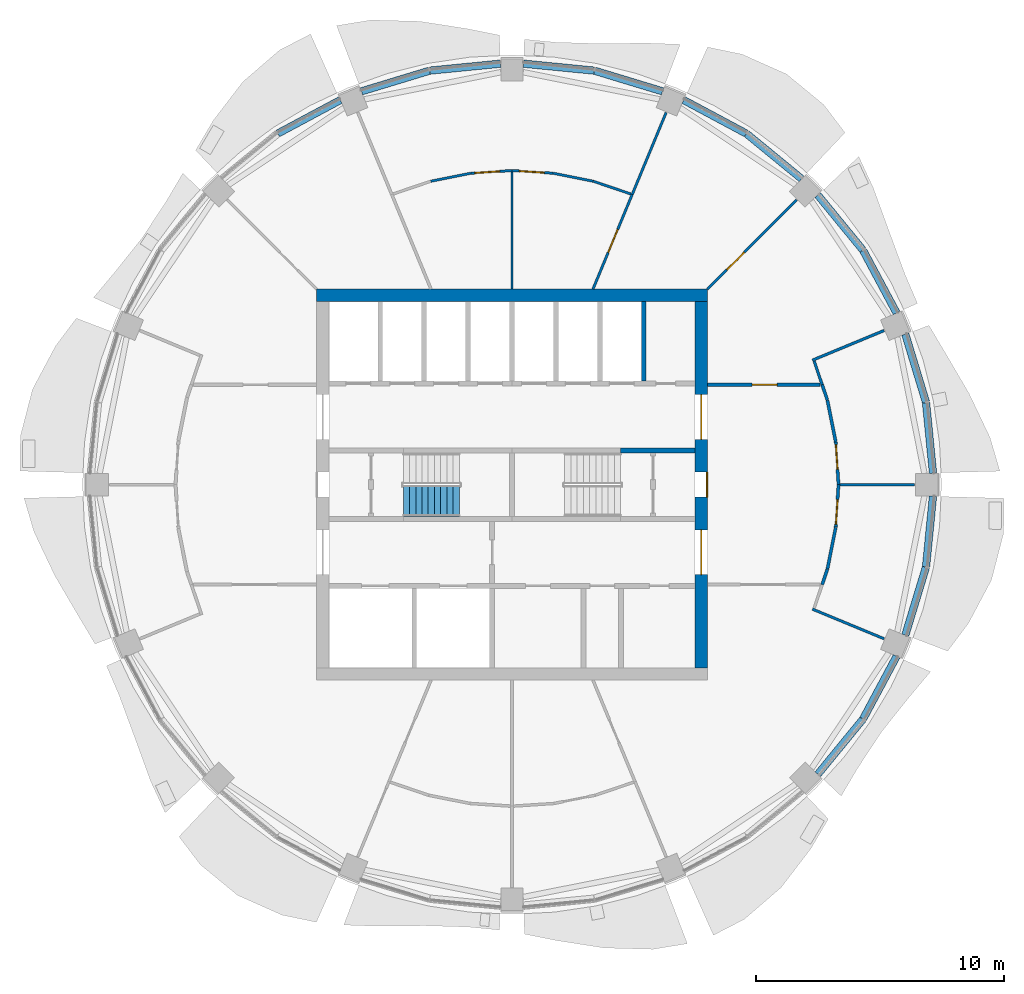
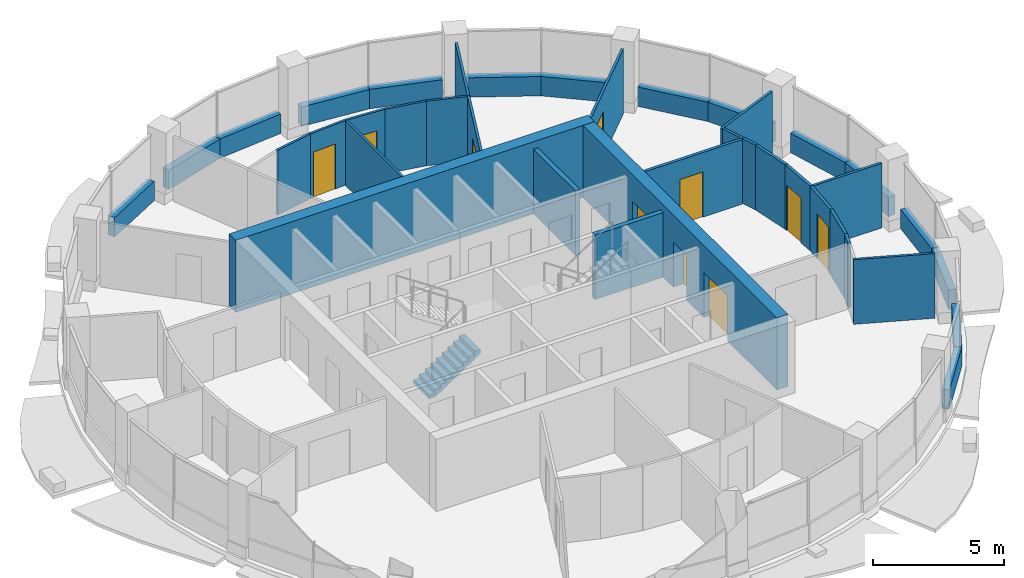
# One storey, part 10 of 15: 39 walls, 10 doors, 1 stair flight, 10 openings, 1 element without a shape of its own.
"""IFC4 building model written with IfcOpenShell, lengths in metres."""

from ifc_helpers import new_model, si_unit, direction, frame, frame_2d, origin, place, context, subcontext, project, spatial, polyline, rectangle, outline, extrude, material, layer, layer_set, type_object, element, fill, aggregate, save


model = new_model("IFC4")

# Units and contexts
model_context = context("Model", 3, precision=1e-05, world=origin(), true_north=direction((0.0, 1.0)))
body_context = subcontext(model_context, "Body", "Model", "MODEL_VIEW")
ifc_project = project(units=[si_unit("LENGTHUNIT", "METRE"), si_unit("AREAUNIT", "SQUARE_METRE"), si_unit("VOLUMEUNIT", "CUBIC_METRE"), si_unit("PLANEANGLEUNIT", "RADIAN"), si_unit("MASSUNIT", "GRAM", prefix="KILO")], contexts=[model_context])

# Site, building, storey
site_placement = place(None, origin())
site = spatial("IfcSite", under=ifc_project, at=site_placement, CompositionType="ELEMENT")
building_placement = place(site_placement, origin())
building = spatial("IfcBuilding", under=site, at=building_placement, Name="Polderwave Tower", CompositionType="ELEMENT")
storey_placement = place(building_placement, frame((0.0, 0.0, 197.699951171875)))
storey = spatial("IfcBuildingStorey", under=building, at=storey_placement, Name="L53", CompositionType="ELEMENT", Elevation=197.699951171875)

# Wall
ifc_material_1 = material(Name="Concrete C60/75", Category="concrete")
ifc_layer_1 = layer(ifc_material_1, 0.5)
ifc_layer_set_1 = layer_set([ifc_layer_1], Name="CORE WALL 500 C60/75")
wall_type_1 = type_object("IfcWallType", Name="CORE WALL 500 C60/75", PredefinedType="SHEAR", material=ifc_layer_set_1)
wall_1_placement = place(storey_placement, frame((-7.8740234375, 7.6240234375, 0.0), z_axis=(0.0, 0.0, 1.0), x_axis=(1.0, 0.0, 0.0)))
element("IfcWall", 1, at=wall_1_placement, inside=storey, type_object=wall_type_1, Name="ST-CORE-L53-N", PredefinedType="SHEAR", context=body_context, shape_type="SweptSolid", body=[
    extrude(rectangle(XDim=15.748046875, YDim=0.5, at=frame_2d((7.8740234375, 0.0))), origin(), (0.0, 0.0, 1.0), 3.35009765625),
])

# Wall, openings, doors
wall_2_placement = place(storey_placement, frame((7.6240234375, -7.3740234375, 0.0), z_axis=(0.0, 0.0, 1.0), x_axis=(0.0, 1.0, 0.0)))
wall_2 = element("IfcWall", 2, at=wall_2_placement, inside=storey, type_object=wall_type_1, Name="ST-CORE-L53-E", PredefinedType="SHEAR", context=body_context, shape_type="SweptSolid", body=[
    extrude(rectangle(XDim=14.748046875, YDim=0.5, at=frame_2d((7.3740234375, 0.0))), origin(), (0.0, 0.0, 1.0), 3.35009765625),
])
opening_1_placement = place(wall_2_placement, frame((6.8740234375, 0.0, 0.0)))
opening_1 = element("IfcOpeningElement", 3, at=opening_1_placement, cuts=wall_2, Name="Opening L53-D22", PredefinedType="OPENING", context=body_context, shape_type="SweptSolid", body=[
    extrude(rectangle(XDim=1.0, YDim=2.10009765625, at=frame_2d((0.5, 1.050048828125))), frame((0.0, 0.260009765625, 0.0), z_axis=(0.0, -1.0, 0.0), x_axis=(1.0, 0.0, 0.0)), (0.0, 0.0, 1.0), 0.52001953125),
])
opening_2_placement = place(wall_2_placement, frame((3.74951171875, 0.0, 0.0)))
opening_2 = element("IfcOpeningElement", 4, at=opening_2_placement, cuts=wall_2, Name="Opening L53-D23", PredefinedType="OPENING", context=body_context, shape_type="SweptSolid", body=[
    extrude(rectangle(XDim=1.800048828125, YDim=2.10009765625, at=frame_2d((0.89990234375, 1.050048828125))), frame((0.0, 0.260009765625, 0.0), z_axis=(0.0, -1.0, 0.0), x_axis=(1.0, 0.0, 0.0)), (0.0, 0.0, 1.0), 0.52001953125),
])
opening_3_placement = place(wall_2_placement, frame((9.198486328125, 0.0, 0.0)))
opening_3 = element("IfcOpeningElement", 5, at=opening_3_placement, cuts=wall_2, Name="Opening L53-D24", PredefinedType="OPENING", context=body_context, shape_type="SweptSolid", body=[
    extrude(rectangle(XDim=1.800048828125, YDim=2.10009765625, at=frame_2d((0.89990234375, 1.050048828125))), frame((0.0, 0.260009765625, 0.0), z_axis=(0.0, -1.0, 0.0), x_axis=(1.0, 0.0, 0.0)), (0.0, 0.0, 1.0), 0.52001953125),
])
ifc_material_2 = material(Name="Steel fire door", Category="steel")
door_type_1 = type_object("IfcDoorType", Name="Lobby entry door pair 1800", OperationType="DOUBLE_DOOR_SINGLE_SWING", PredefinedType="DOOR", material=ifc_material_2)
door_1_placement = place(opening_2_placement, frame((1.800048828125, 0.0, 0.0), z_axis=(0.0, 0.0, 1.0), x_axis=(-1.0, 0.0, 0.0)))
door_1 = element("IfcDoor", 6, at=door_1_placement, inside=storey, type_object=door_type_1, Name="South lobby entry door", OperationType="DOUBLE_DOOR_SINGLE_SWING", OverallHeight=2.10009765625, OverallWidth=1.800048828125, PredefinedType="DOOR", context=body_context, shape_type="SweptSolid", body=[
    extrude(rectangle(XDim=1.800048828125, YDim=2.10009765625, at=frame_2d((0.89990234375, 1.050048828125))), frame((0.0, 0.02490234375, 0.0), z_axis=(0.0, -1.0, 0.0), x_axis=(1.0, 0.0, 0.0)), (0.0, 0.0, 1.0), 0.050048828125),
])
fill(opening_2, door_1)
door_2_placement = place(opening_3_placement, frame((1.800048828125, 0.0, 0.0), z_axis=(0.0, 0.0, 1.0), x_axis=(-1.0, 0.0, 0.0)))
door_2 = element("IfcDoor", 7, at=door_2_placement, inside=storey, type_object=door_type_1, Name="North lobby entry door", OperationType="DOUBLE_DOOR_SINGLE_SWING", OverallHeight=2.10009765625, OverallWidth=1.800048828125, PredefinedType="DOOR", context=body_context, shape_type="SweptSolid", body=[
    extrude(rectangle(XDim=1.800048828125, YDim=2.10009765625, at=frame_2d((0.89990234375, 1.050048828125))), frame((0.0, 0.02490234375, 0.0), z_axis=(0.0, -1.0, 0.0), x_axis=(1.0, 0.0, 0.0)), (0.0, 0.0, 1.0), 0.050048828125),
])
fill(opening_3, door_2)
door_type_2 = type_object("IfcDoorType", Name="Stair door 1000", OperationType="NOTDEFINED", PredefinedType="DOOR", material=ifc_material_2)
door_3_placement = place(opening_1_placement, frame((1.0, 0.0, 0.0), z_axis=(0.0, 0.0, 1.0), x_axis=(-1.0, 0.0, 0.0)))
door_3 = element("IfcDoor", 8, at=door_3_placement, inside=storey, type_object=door_type_2, Name="Stair B entry door", OperationType="SINGLE_SWING_LEFT", OverallHeight=2.10009765625, OverallWidth=1.0, PredefinedType="DOOR", context=body_context, shape_type="SweptSolid", body=[
    extrude(rectangle(XDim=1.0, YDim=2.10009765625, at=frame_2d((0.5, 1.050048828125))), frame((0.0, 0.25, 0.0), z_axis=(0.0, -1.0, 0.0), x_axis=(1.0, 0.0, 0.0)), (0.0, 0.0, 1.0), 0.050048828125),
])
fill(opening_1, door_3)

# Walls
ifc_material_3 = material(Name="Concrete C50/60 (board-marked)", Category="concrete")
ifc_layer_2 = layer(ifc_material_3, 0.300048828125)
ifc_layer_set_2 = layer_set([ifc_layer_2], Name="Concrete spandrel upstand C50/60")
wall_type_2 = type_object("IfcWallType", Name="Concrete spandrel upstand C50/60", PredefinedType="SOLIDWALL", material=ifc_layer_set_2)
wall_3_placement = place(storey_placement, frame((16.95458984375, 0.4638671875, 0.0), z_axis=(0.0, 0.0, 1.0), x_axis=(-0.098223350935, 0.995164395128, 0.0)))
element("IfcWall", 9, at=wall_3_placement, inside=storey, type_object=wall_type_2, Name="Spandrel L53 1a", PredefinedType="SOLIDWALL", context=body_context, shape_type="SweptSolid", body=[
    extrude(rectangle(XDim=2.850830078125, YDim=0.300048828125, at=frame_2d((1.42529296875, 0.0))), origin(), (0.0, 0.0, 1.0), 0.900146484375),
])
wall_4_placement = place(storey_placement, frame((16.668701171875, 3.330322265625, 0.0), z_axis=(0.0, 0.0, 1.0), x_axis=(-0.290432618929, 0.956895445627, 0.0)))
element("IfcWall", 10, at=wall_4_placement, inside=storey, type_object=wall_type_2, Name="Spandrel L53 1b", PredefinedType="SOLIDWALL", context=body_context, shape_type="SweptSolid", body=[
    extrude(rectangle(XDim=2.852294921875, YDim=0.300048828125, at=frame_2d((1.42626953125, 0.0))), origin(), (0.0, 0.0, 1.0), 0.900146484375),
])
wall_5_placement = place(storey_placement, frame((15.48583984375, 6.917236328125, 0.0), z_axis=(0.0, 0.0, 1.0), x_axis=(-0.471441594872, 0.881897285756, 0.0)))
element("IfcWall", 11, at=wall_5_placement, inside=storey, type_object=wall_type_2, Name="Spandrel L53 2a", PredefinedType="SOLIDWALL", context=body_context, shape_type="SweptSolid", body=[
    extrude(rectangle(XDim=2.850341796875, YDim=0.300048828125, at=frame_2d((1.42529296875, 0.0))), origin(), (0.0, 0.0, 1.0), 0.900146484375),
])
for number, where, z_axis, x_axis, name in (
    (12, (14.12548828125, 9.45556640625, 0.0), (0.0, 0.0, 1.0), (-0.634146109242, 0.773213238462, 0.0), "Spandrel L53 2b"),
    (13, (11.661376953125, 12.31640625, 0.0), (0.0, 0.0, 1.0), (-0.773213238462, 0.634146109242, 0.0), "Spandrel L53 3a"),
):
    element("IfcWall", number, at=place(storey_placement, frame(where, z_axis=z_axis, x_axis=x_axis)), inside=storey, type_object=wall_type_2, Name=name, PredefinedType="SOLIDWALL", context=body_context, shape_type="SweptSolid", body=[
        extrude(rectangle(XDim=2.852783203125, YDim=0.300048828125, at=frame_2d((1.42626953125, 0.0))), origin(), (0.0, 0.0, 1.0), 0.900146484375),
    ])
wall_6_placement = place(storey_placement, frame((9.430908203125, 14.14208984375, 0.0), z_axis=(0.0, 0.0, 1.0), x_axis=(-0.881897285756, 0.471441594872, 0.0)))
element("IfcWall", 14, at=wall_6_placement, inside=storey, type_object=wall_type_2, Name="Spandrel L53 3b", PredefinedType="SOLIDWALL", context=body_context, shape_type="SweptSolid", body=[
    extrude(rectangle(XDim=2.850341796875, YDim=0.300048828125, at=frame_2d((1.42529296875, 0.0))), origin(), (0.0, 0.0, 1.0), 0.900146484375),
])
wall_7_placement = place(storey_placement, frame((6.0595703125, 15.84033203125, 0.0), z_axis=(0.0, 0.0, 1.0), x_axis=(-0.956895445627, 0.290432618929, 0.0)))
element("IfcWall", 15, at=wall_7_placement, inside=storey, type_object=wall_type_2, Name="Spandrel L53 4a", PredefinedType="SOLIDWALL", context=body_context, shape_type="SweptSolid", body=[
    extrude(rectangle(XDim=2.852294921875, YDim=0.300048828125, at=frame_2d((1.42626953125, 0.0))), origin(), (0.0, 0.0, 1.0), 0.900146484375),
])
for number, where, z_axis, x_axis, name in (
    (16, (3.301025390625, 16.674560546875, 0.0), (0.0, 0.0, 1.0), (-0.995164395128, 0.098223350935, 0.0), "Spandrel L53 4b"),
    (17, (-0.4638671875, 16.95458984375, 0.0), (0.0, 0.0, 1.0), (-0.995164395128, -0.098223350935, 0.0), "Spandrel L53 5a"),
):
    element("IfcWall", number, at=place(storey_placement, frame(where, z_axis=z_axis, x_axis=x_axis)), inside=storey, type_object=wall_type_2, Name=name, PredefinedType="SOLIDWALL", context=body_context, shape_type="SweptSolid", body=[
        extrude(rectangle(XDim=2.850830078125, YDim=0.300048828125, at=frame_2d((1.42529296875, 0.0))), origin(), (0.0, 0.0, 1.0), 0.900146484375),
    ])
wall_8_placement = place(storey_placement, frame((-3.330322265625, 16.668701171875, 0.0), z_axis=(0.0, 0.0, 1.0), x_axis=(-0.956895445627, -0.290432618929, 0.0)))
element("IfcWall", 18, at=wall_8_placement, inside=storey, type_object=wall_type_2, Name="Spandrel L53 5b", PredefinedType="SOLIDWALL", context=body_context, shape_type="SweptSolid", body=[
    extrude(rectangle(XDim=2.852294921875, YDim=0.300048828125, at=frame_2d((1.42626953125, 0.0))), origin(), (0.0, 0.0, 1.0), 0.900146484375),
])
wall_9_placement = place(storey_placement, frame((-6.917236328125, 15.48583984375, 0.0), z_axis=(0.0, 0.0, 1.0), x_axis=(-0.881897285756, -0.471441594872, 0.0)))
element("IfcWall", 19, at=wall_9_placement, inside=storey, type_object=wall_type_2, Name="Spandrel L53 6a", PredefinedType="SOLIDWALL", context=body_context, shape_type="SweptSolid", body=[
    extrude(rectangle(XDim=2.850341796875, YDim=0.300048828125, at=frame_2d((1.42529296875, 0.0))), origin(), (0.0, 0.0, 1.0), 0.900146484375),
])
wall_10_placement = place(storey_placement, frame((12.31640625, -11.661376953125, 0.0), z_axis=(0.0, 0.0, 1.0), x_axis=(0.634146109242, 0.773213238462, 0.0)))
element("IfcWall", 20, at=wall_10_placement, inside=storey, type_object=wall_type_2, Name="Spandrel L53 15a", PredefinedType="SOLIDWALL", context=body_context, shape_type="SweptSolid", body=[
    extrude(rectangle(XDim=2.852783203125, YDim=0.300048828125, at=frame_2d((1.42626953125, 0.0))), origin(), (0.0, 0.0, 1.0), 0.900146484375),
])
wall_11_placement = place(storey_placement, frame((14.14208984375, -9.430908203125, 0.0), z_axis=(0.0, 0.0, 1.0), x_axis=(0.471441594872, 0.881897285756, 0.0)))
element("IfcWall", 21, at=wall_11_placement, inside=storey, type_object=wall_type_2, Name="Spandrel L53 15b", PredefinedType="SOLIDWALL", context=body_context, shape_type="SweptSolid", body=[
    extrude(rectangle(XDim=2.850341796875, YDim=0.300048828125, at=frame_2d((1.42529296875, 0.0))), origin(), (0.0, 0.0, 1.0), 0.900146484375),
])
wall_12_placement = place(storey_placement, frame((15.84033203125, -6.0595703125, 0.0), z_axis=(0.0, 0.0, 1.0), x_axis=(0.290432618929, 0.956895445627, 0.0)))
element("IfcWall", 22, at=wall_12_placement, inside=storey, type_object=wall_type_2, Name="Spandrel L53 16a", PredefinedType="SOLIDWALL", context=body_context, shape_type="SweptSolid", body=[
    extrude(rectangle(XDim=2.852294921875, YDim=0.300048828125, at=frame_2d((1.42626953125, 0.0))), origin(), (0.0, 0.0, 1.0), 0.900146484375),
])
wall_13_placement = place(storey_placement, frame((16.674560546875, -3.301025390625, 0.0), z_axis=(0.0, 0.0, 1.0), x_axis=(0.098223350935, 0.995164395128, 0.0)))
element("IfcWall", 23, at=wall_13_placement, inside=storey, type_object=wall_type_2, Name="Spandrel L53 16b", PredefinedType="SOLIDWALL", context=body_context, shape_type="SweptSolid", body=[
    extrude(rectangle(XDim=2.850830078125, YDim=0.300048828125, at=frame_2d((1.42529296875, 0.0))), origin(), (0.0, 0.0, 1.0), 0.900146484375),
])
ifc_material_4 = material(Name="Concrete C50/60", Category="concrete")
ifc_layer_3 = layer(ifc_material_4, 0.199951171875)
ifc_layer_set_3 = layer_set([ifc_layer_3], Name="Core web wall 200")
wall_type_3 = type_object("IfcWallType", Name="Core web wall 200", PredefinedType="SHEAR", material=ifc_layer_set_3)
wall_14_placement = place(storey_placement, frame((4.3740234375, 1.375, 0.0), z_axis=(0.0, 0.0, 1.0), x_axis=(1.0, 0.0, 0.0)))
element("IfcWall", 24, at=wall_14_placement, inside=storey, type_object=wall_type_3, Name="L53 north stair wall 4", PredefinedType="SHEAR", context=body_context, shape_type="SweptSolid", body=[
    extrude(rectangle(XDim=3.0, YDim=0.199951171875, at=frame_2d((1.5, 0.0))), origin(), (0.0, 0.0, 1.0), 3.0),
])
ifc_material_5 = material(Name="Fire-resisting board on steel studs", Category="steel")
ifc_layer_4 = layer(ifc_material_5, 0.125)
ifc_layer_set_4 = layer_set([ifc_layer_4], Name="Corridor wall 125 mm EI 60")
wall_type_4 = type_object("IfcWallType", Name="Corridor wall 125 mm EI 60", PredefinedType="PARTITIONING", material=ifc_layer_set_4)
wall_15_placement = place(storey_placement, frame((12.4912109375, 4.0244140625, 0.0), z_axis=(0.0, 0.0, 1.0), x_axis=(0.321506357846, -0.946907419902, 0.0)))
element("IfcWall", 25, at=wall_15_placement, inside=storey, type_object=wall_type_4, Name="IN-L53-W001", PredefinedType="PARTITIONING", context=body_context, shape_type="SweptSolid", body=[
    extrude(rectangle(XDim=0.651611328125, YDim=0.125, at=frame_2d((0.32568359375, 0.0))), origin(), (0.0, 0.0, 1.0), 3.0),
])
wall_16_placement = place(storey_placement, frame((12.70263671875, 3.3994140625, 0.0), z_axis=(0.0, 0.0, 1.0), x_axis=(0.195101249107, -0.980783106806, 0.0)))
element("IfcWall", 26, at=wall_16_placement, inside=storey, type_object=wall_type_4, Name="IN-L53-W002", PredefinedType="PARTITIONING", context=body_context, shape_type="SweptSolid", body=[
    extrude(rectangle(XDim=1.7119140625, YDim=0.125, at=frame_2d((0.85595703125, 0.0))), origin(), (0.0, 0.0, 1.0), 3.0),
])

# Wall, opening, door
wall_17_placement = place(storey_placement, frame((13.037841796875, 1.71240234375, 0.0), z_axis=(0.0, 0.0, 1.0), x_axis=(0.065300872496, -0.997865620237, 0.0)))
wall_17 = element("IfcWall", 27, at=wall_17_placement, inside=storey, type_object=wall_type_4, Name="IN-L53-W003", PredefinedType="PARTITIONING", context=body_context, shape_type="SweptSolid", body=[
    extrude(rectangle(XDim=1.716064453125, YDim=0.125, at=frame_2d((0.85791015625, 0.0))), origin(), (0.0, 0.0, 1.0), 3.0),
])
opening_4_placement = place(wall_17_placement, frame((0.10009765625, 0.0, 0.0)))
opening_4 = element("IfcOpeningElement", 28, at=opening_4_placement, cuts=wall_17, Name="Opening L53-D50", PredefinedType="OPENING", context=body_context, shape_type="SweptSolid", body=[
    extrude(rectangle(XDim=1.0, YDim=2.10009765625, at=frame_2d((0.5, 1.050048828125))), frame((0.0, 0.072509765625, 0.0), z_axis=(0.0, -1.0, 0.0), x_axis=(1.0, 0.0, 0.0)), (0.0, 0.0, 1.0), 0.14501953125),
])
ifc_material_6 = material(Name="Timber fire door leaf", Category="wood")
door_type_3 = type_object("IfcDoorType", Name="Fire door FD30S 1000 x 2100", OperationType="NOTDEFINED", PredefinedType="DOOR", material=ifc_material_6)
door_4_placement = place(opening_4_placement, origin())
door_4 = element("IfcDoor", 29, at=door_4_placement, inside=storey, type_object=door_type_3, Name="Door L53-D50", OperationType="SINGLE_SWING_LEFT", OverallHeight=2.10009765625, OverallWidth=1.0, PredefinedType="DOOR", context=body_context, shape_type="SweptSolid", body=[
    extrude(rectangle(XDim=1.0, YDim=2.10009765625, at=frame_2d((0.5, 1.050048828125))), frame((0.0, 0.02490234375, 0.0), z_axis=(0.0, -1.0, 0.0), x_axis=(1.0, 0.0, 0.0)), (0.0, 0.0, 1.0), 0.050048828125),
])
fill(opening_4, door_4)

wall_18_placement = place(storey_placement, frame((7.8740234375, 4.0244140625, 0.0), z_axis=(0.0, 0.0, 1.0), x_axis=(1.0, 0.0, 0.0)))
wall_18 = element("IfcWall", 30, at=wall_18_placement, inside=storey, type_object=wall_type_4, Name="IN-L53-W004", PredefinedType="PARTITIONING", context=body_context, shape_type="SweptSolid", body=[
    extrude(rectangle(XDim=4.52978515625, YDim=0.125, at=frame_2d((2.264892578125, 0.0))), origin(), (0.0, 0.0, 1.0), 3.0),
])
opening_5_placement = place(wall_18_placement, frame((1.800048828125, 0.0, 0.0)))
opening_5 = element("IfcOpeningElement", 31, at=opening_5_placement, cuts=wall_18, Name="Opening L53-D51", PredefinedType="OPENING", context=body_context, shape_type="SweptSolid", body=[
    extrude(rectangle(XDim=1.0, YDim=2.10009765625, at=frame_2d((0.5, 1.050048828125))), frame((0.0, 0.072509765625, 0.0), z_axis=(0.0, -1.0, 0.0), x_axis=(1.0, 0.0, 0.0)), (0.0, 0.0, 1.0), 0.14501953125),
])
door_5_placement = place(opening_5_placement, origin())
door_5 = element("IfcDoor", 32, at=door_5_placement, inside=storey, type_object=door_type_3, Name="Door L53-D51", OperationType="SINGLE_SWING_RIGHT", OverallHeight=2.10009765625, OverallWidth=1.0, PredefinedType="DOOR", context=body_context, shape_type="SweptSolid", body=[
    extrude(rectangle(XDim=1.0, YDim=2.10009765625, at=frame_2d((0.5, 1.050048828125))), frame((0.0, 0.02490234375, 0.0), z_axis=(0.0, -1.0, 0.0), x_axis=(1.0, 0.0, 0.0)), (0.0, 0.0, 1.0), 0.050048828125),
])
fill(opening_5, door_5)

# Walls
wall_19_placement = place(storey_placement, frame((12.70068359375, -3.407470703125, 0.0), z_axis=(0.0, 0.0, 1.0), x_axis=(-0.321506357846, -0.946907419902, 0.0)))
element("IfcWall", 33, at=wall_19_placement, inside=storey, type_object=wall_type_4, Name="IN-L53-W006", PredefinedType="PARTITIONING", context=body_context, shape_type="SweptSolid", body=[
    extrude(rectangle(XDim=0.651611328125, YDim=0.125, at=frame_2d((0.32568359375, 0.0))), origin(), (0.0, 0.0, 1.0), 3.0),
])
wall_20_placement = place(storey_placement, frame((13.03662109375, -1.720458984375, 0.0), z_axis=(0.0, 0.0, 1.0), x_axis=(-0.195101249107, -0.980783106806, 0.0)))
element("IfcWall", 34, at=wall_20_placement, inside=storey, type_object=wall_type_4, Name="IN-L53-W007", PredefinedType="PARTITIONING", context=body_context, shape_type="SweptSolid", body=[
    extrude(rectangle(XDim=1.7119140625, YDim=0.125, at=frame_2d((0.85595703125, 0.0))), origin(), (0.0, 0.0, 1.0), 3.0),
])

# Wall, opening, door
wall_21_placement = place(storey_placement, frame((13.14990234375, 0.0, 0.0), z_axis=(0.0, 0.0, 1.0), x_axis=(-0.065300872496, -0.997865620237, 0.0)))
wall_21 = element("IfcWall", 35, at=wall_21_placement, inside=storey, type_object=wall_type_4, Name="IN-L53-W008", PredefinedType="PARTITIONING", context=body_context, shape_type="SweptSolid", body=[
    extrude(rectangle(XDim=1.716064453125, YDim=0.125, at=frame_2d((0.85791015625, 0.0))), origin(), (0.0, 0.0, 1.0), 3.0),
])
opening_6_placement = place(wall_21_placement, frame((0.60009765625, 0.0, 0.0)))
opening_6 = element("IfcOpeningElement", 36, at=opening_6_placement, cuts=wall_21, Name="Opening L53-D53", PredefinedType="OPENING", context=body_context, shape_type="SweptSolid", body=[
    extrude(rectangle(XDim=1.0, YDim=2.10009765625, at=frame_2d((0.5, 1.050048828125))), frame((0.0, 0.072509765625, 0.0), z_axis=(0.0, -1.0, 0.0), x_axis=(1.0, 0.0, 0.0)), (0.0, 0.0, 1.0), 0.14501953125),
])
door_6_placement = place(opening_6_placement, origin())
door_6 = element("IfcDoor", 37, at=door_6_placement, inside=storey, type_object=door_type_3, Name="Door L53-D53", OperationType="SINGLE_SWING_RIGHT", OverallHeight=2.10009765625, OverallWidth=1.0, PredefinedType="DOOR", context=body_context, shape_type="SweptSolid", body=[
    extrude(rectangle(XDim=1.0, YDim=2.10009765625, at=frame_2d((0.5, 1.050048828125))), frame((0.0, 0.02490234375, 0.0), z_axis=(0.0, -1.0, 0.0), x_axis=(1.0, 0.0, 0.0)), (0.0, 0.0, 1.0), 0.050048828125),
])
fill(opening_6, door_6)

ifc_material_7 = material(Name="Plasterboard on steel studs", Category="steel")
ifc_layer_5 = layer(ifc_material_7, 0.10009765625)
ifc_layer_set_5 = layer_set([ifc_layer_5], Name="Partition 100 mm plasterboard on steel studs")
wall_type_5 = type_object("IfcWallType", Name="Partition 100 mm plasterboard on steel studs", PredefinedType="PARTITIONING", material=ifc_layer_set_5)
wall_22_placement = place(storey_placement, frame((7.8740234375, 7.8740234375, 0.0), z_axis=(0.0, 0.0, 1.0), x_axis=(0.707106781187, 0.707106781187, 0.0)))
wall_22 = element("IfcWall", 38, at=wall_22_placement, inside=storey, type_object=wall_type_5, Name="IN-L53-W020", PredefinedType="PARTITIONING", context=body_context, shape_type="SweptSolid", body=[
    extrude(rectangle(XDim=5.08447265625, YDim=0.10009765625, at=frame_2d((2.542236328125, 0.0))), origin(), (0.0, 0.0, 1.0), 3.0),
])
opening_7_placement = place(wall_22_placement, frame((1.10009765625, 0.0, 0.0)))
opening_7 = element("IfcOpeningElement", 39, at=opening_7_placement, cuts=wall_22, Name="Opening L53-D58", PredefinedType="OPENING", context=body_context, shape_type="SweptSolid", body=[
    extrude(rectangle(XDim=1.0, YDim=2.10009765625, at=frame_2d((0.5, 1.050048828125))), frame((0.0, 0.06005859375, 0.0), z_axis=(0.0, -1.0, 0.0), x_axis=(1.0, 0.0, 0.0)), (0.0, 0.0, 1.0), 0.1201171875),
])
ifc_material_8 = material(Name="Timber veneer door leaf", Category="wood")
door_type_4 = type_object("IfcDoorType", Name="Single door 1000 x 2100", OperationType="NOTDEFINED", PredefinedType="DOOR", material=ifc_material_8)
door_7_placement = place(opening_7_placement, origin())
door_7 = element("IfcDoor", 40, at=door_7_placement, inside=storey, type_object=door_type_4, Name="Door L53-D58", OperationType="SINGLE_SWING_LEFT", OverallHeight=2.10009765625, OverallWidth=1.0, PredefinedType="DOOR", context=body_context, shape_type="SweptSolid", body=[
    extrude(rectangle(XDim=1.0, YDim=2.10009765625, at=frame_2d((0.5, 1.050048828125))), frame((0.0, 0.02490234375, 0.0), z_axis=(0.0, -1.0, 0.0), x_axis=(1.0, 0.0, 0.0)), (0.0, 0.0, 1.0), 0.050048828125),
])
fill(opening_7, door_7)

wall_23_placement = place(storey_placement, frame((3.261474609375, 7.8740234375, 0.0), z_axis=(0.0, 0.0, 1.0), x_axis=(0.382673969281, 0.923883452192, 0.0)))
wall_23 = element("IfcWall", 41, at=wall_23_placement, inside=storey, type_object=wall_type_5, Name="IN-L53-W021", PredefinedType="PARTITIONING", context=body_context, shape_type="SweptSolid", body=[
    extrude(rectangle(XDim=4.127197265625, YDim=0.10009765625, at=frame_2d((2.0634765625, 0.0))), origin(), (0.0, 0.0, 1.0), 3.0),
])
opening_8_placement = place(wall_23_placement, frame((1.60009765625, 0.0, 0.0)))
opening_8 = element("IfcOpeningElement", 42, at=opening_8_placement, cuts=wall_23, Name="Opening L53-D59", PredefinedType="OPENING", context=body_context, shape_type="SweptSolid", body=[
    extrude(rectangle(XDim=1.0, YDim=2.10009765625, at=frame_2d((0.5, 1.050048828125))), frame((0.0, 0.06005859375, 0.0), z_axis=(0.0, -1.0, 0.0), x_axis=(1.0, 0.0, 0.0)), (0.0, 0.0, 1.0), 0.1201171875),
])
door_8_placement = place(opening_8_placement, origin())
door_8 = element("IfcDoor", 43, at=door_8_placement, inside=storey, type_object=door_type_4, Name="Door L53-D59", OperationType="SINGLE_SWING_RIGHT", OverallHeight=2.10009765625, OverallWidth=1.0, PredefinedType="DOOR", context=body_context, shape_type="SweptSolid", body=[
    extrude(rectangle(XDim=1.0, YDim=2.10009765625, at=frame_2d((0.5, 1.050048828125))), frame((0.0, 0.02490234375, 0.0), z_axis=(0.0, -1.0, 0.0), x_axis=(1.0, 0.0, 0.0)), (0.0, 0.0, 1.0), 0.050048828125),
])
fill(opening_8, door_8)

# Wall
wall_24_placement = place(storey_placement, frame((4.8408203125, 11.68701171875, 0.0), z_axis=(0.0, 0.0, 1.0), x_axis=(0.382681959822, 0.923880142457, 0.0)))
element("IfcWall", 44, at=wall_24_placement, inside=storey, type_object=wall_type_5, Name="IN-L53-W022", PredefinedType="PARTITIONING", context=body_context, shape_type="SweptSolid", body=[
    extrude(rectangle(XDim=3.570068359375, YDim=0.10009765625, at=frame_2d((1.78515625, 0.0))), origin(), (0.0, 0.0, 1.0), 3.0),
])

# Wall, opening, door
wall_25_placement = place(storey_placement, frame((0.0, 12.64990234375, 0.0), z_axis=(0.0, 0.0, 1.0), x_axis=(0.997862957787, -0.065341544791, 0.0)))
wall_25 = element("IfcWall", 45, at=wall_25_placement, inside=storey, type_object=wall_type_5, Name="IN-L53-W023", PredefinedType="PARTITIONING", context=body_context, shape_type="SweptSolid", body=[
    extrude(rectangle(XDim=1.6513671875, YDim=0.10009765625, at=frame_2d((0.82568359375, 0.0))), origin(), (0.0, 0.0, 1.0), 3.0),
])
opening_9_placement = place(wall_25_placement, frame((0.300048828125, 0.0, 0.0)))
opening_9 = element("IfcOpeningElement", 46, at=opening_9_placement, cuts=wall_25, Name="Opening L53-D60", PredefinedType="OPENING", context=body_context, shape_type="SweptSolid", body=[
    extrude(rectangle(XDim=1.0, YDim=2.10009765625, at=frame_2d((0.5, 1.050048828125))), frame((0.0, 0.06005859375, 0.0), z_axis=(0.0, -1.0, 0.0), x_axis=(1.0, 0.0, 0.0)), (0.0, 0.0, 1.0), 0.1201171875),
])
door_9_placement = place(opening_9_placement, origin())
door_9 = element("IfcDoor", 47, at=door_9_placement, inside=storey, type_object=door_type_4, Name="Door L53-D60", OperationType="SINGLE_SWING_LEFT", OverallHeight=2.10009765625, OverallWidth=1.0, PredefinedType="DOOR", context=body_context, shape_type="SweptSolid", body=[
    extrude(rectangle(XDim=1.0, YDim=2.10009765625, at=frame_2d((0.5, 1.050048828125))), frame((0.0, 0.02490234375, 0.0), z_axis=(0.0, -1.0, 0.0), x_axis=(1.0, 0.0, 0.0)), (0.0, 0.0, 1.0), 0.050048828125),
])
fill(opening_9, door_9)

# Walls
wall_26_placement = place(storey_placement, frame((1.654296875, 12.541259765625, 0.0), z_axis=(0.0, 0.0, 1.0), x_axis=(0.98076253728, -0.195204624605, 0.0)))
element("IfcWall", 48, at=wall_26_placement, inside=storey, type_object=wall_type_5, Name="IN-L53-W024", PredefinedType="PARTITIONING", context=body_context, shape_type="SweptSolid", body=[
    extrude(rectangle(XDim=1.6484375, YDim=0.10009765625, at=frame_2d((0.82421875, 0.0))), origin(), (0.0, 0.0, 1.0), 3.0),
])
wall_27_placement = place(storey_placement, frame((3.277099609375, 12.218017578125, 0.0), z_axis=(0.0, 0.0, 1.0), x_axis=(0.946927222845, -0.321448027891, 0.0)))
element("IfcWall", 49, at=wall_27_placement, inside=storey, type_object=wall_type_5, Name="IN-L53-W025", PredefinedType="PARTITIONING", context=body_context, shape_type="SweptSolid", body=[
    extrude(rectangle(XDim=1.597900390625, YDim=0.10009765625, at=frame_2d((0.798828125, 0.0))), origin(), (0.0, 0.0, 1.0), 3.0),
])
wall_28_placement = place(storey_placement, frame((0.0, 7.8740234375, 0.0), z_axis=(0.0, 0.0, 1.0), x_axis=(0.0, 1.0, 0.0)))
element("IfcWall", 50, at=wall_28_placement, inside=storey, type_object=wall_type_5, Name="IN-L53-W026", PredefinedType="PARTITIONING", context=body_context, shape_type="SweptSolid", body=[
    extrude(rectangle(XDim=4.72265625, YDim=0.10009765625, at=frame_2d((2.361328125, 0.0))), origin(), (0.0, 0.0, 1.0), 3.0),
])
wall_29_placement = place(storey_placement, frame((-1.654296875, 12.541259765625, 0.0), z_axis=(0.0, 0.0, 1.0), x_axis=(-0.98076253728, -0.195204624605, 0.0)))
element("IfcWall", 51, at=wall_29_placement, inside=storey, type_object=wall_type_5, Name="IN-L53-W028", PredefinedType="PARTITIONING", context=body_context, shape_type="SweptSolid", body=[
    extrude(rectangle(XDim=1.6484375, YDim=0.10009765625, at=frame_2d((0.82421875, 0.0))), origin(), (0.0, 0.0, 1.0), 3.0),
])

# Wall, opening, door
wall_30_placement = place(storey_placement, frame((0.0, 12.64990234375, 0.0), z_axis=(0.0, 0.0, 1.0), x_axis=(-0.997862957787, -0.065341544791, 0.0)))
wall_30 = element("IfcWall", 52, at=wall_30_placement, inside=storey, type_object=wall_type_5, Name="IN-L53-W029", PredefinedType="PARTITIONING", context=body_context, shape_type="SweptSolid", body=[
    extrude(rectangle(XDim=1.6513671875, YDim=0.10009765625, at=frame_2d((0.82568359375, 0.0))), origin(), (0.0, 0.0, 1.0), 3.0),
])
opening_10_placement = place(wall_30_placement, frame((0.5, 0.0, 0.0)))
opening_10 = element("IfcOpeningElement", 53, at=opening_10_placement, cuts=wall_30, Name="Opening L53-D61", PredefinedType="OPENING", context=body_context, shape_type="SweptSolid", body=[
    extrude(rectangle(XDim=1.0, YDim=2.10009765625, at=frame_2d((0.5, 1.050048828125))), frame((0.0, 0.06005859375, 0.0), z_axis=(0.0, -1.0, 0.0), x_axis=(1.0, 0.0, 0.0)), (0.0, 0.0, 1.0), 0.1201171875),
])
door_10_placement = place(opening_10_placement, origin())
door_10 = element("IfcDoor", 54, at=door_10_placement, inside=storey, type_object=door_type_4, Name="Door L53-D61", OperationType="SINGLE_SWING_RIGHT", OverallHeight=2.10009765625, OverallWidth=1.0, PredefinedType="DOOR", context=body_context, shape_type="SweptSolid", body=[
    extrude(rectangle(XDim=1.0, YDim=2.10009765625, at=frame_2d((0.5, 1.050048828125))), frame((0.0, 0.02490234375, 0.0), z_axis=(0.0, -1.0, 0.0), x_axis=(1.0, 0.0, 0.0)), (0.0, 0.0, 1.0), 0.050048828125),
])
fill(opening_10, door_10)

# Walls
ifc_material_9 = material(Name="Moisture-resistant board on steel studs, tiled", Category="steel")
ifc_layer_6 = layer(ifc_material_9, 0.10498046875)
ifc_layer_set_6 = layer_set([ifc_layer_6], Name="Partition 105 mm wet room board and tile")
wall_type_6 = type_object("IfcWallType", Name="Partition 105 mm wet room board and tile", PredefinedType="PARTITIONING", material=ifc_layer_set_6)
wall_31_placement = place(storey_placement, frame((12.1005859375, -5.01220703125, 0.0), z_axis=(0.0, 0.0, 1.0), x_axis=(0.923889137288, -0.382660243559, 0.0)))
element("IfcWall", 55, at=wall_31_placement, inside=storey, type_object=wall_type_6, Name="IN-L53-W050", PredefinedType="PARTITIONING", context=body_context, shape_type="SweptSolid", body=[
    extrude(rectangle(XDim=3.122314453125, YDim=0.10498046875, at=frame_2d((1.56103515625, 0.0))), origin(), (0.0, 0.0, 1.0), 3.0),
])
ifc_material_10 = material(Name="Acoustic double plasterboard on steel studs", Category="steel")
ifc_layer_7 = layer(ifc_material_10, 0.110107421875)
ifc_layer_set_7 = layer_set([ifc_layer_7], Name="Partition 110 mm acoustic double board")
wall_type_7 = type_object("IfcWallType", Name="Partition 110 mm acoustic double board", PredefinedType="PARTITIONING", material=ifc_layer_set_7)
wall_32_placement = place(storey_placement, frame((12.09814453125, 5.01123046875, 0.0), z_axis=(0.0, 0.0, 1.0), x_axis=(0.923893054844, 0.382650784934, 0.0)))
element("IfcWall", 56, at=wall_32_placement, inside=storey, type_object=wall_type_7, Name="IN-L53-W017", PredefinedType="PARTITIONING", context=body_context, shape_type="SweptSolid", body=[
    extrude(rectangle(XDim=3.125, YDim=0.110107421875, at=frame_2d((1.5625, 0.0))), origin(), (0.0, 0.0, 1.0), 3.0),
])
wall_33_placement = place(storey_placement, frame((12.4912109375, 4.0244140625, 0.0), z_axis=(0.0, 0.0, 1.0), x_axis=(-0.321393524097, 0.94694572319, 0.0)))
element("IfcWall", 57, at=wall_33_placement, inside=storey, type_object=wall_type_7, Name="IN-L53-W018", PredefinedType="PARTITIONING", context=body_context, shape_type="SweptSolid", body=[
    extrude(rectangle(XDim=1.005859375, YDim=0.110107421875, at=frame_2d((0.5029296875, 0.0))), origin(), (0.0, 0.0, 1.0), 3.0),
])
wall_34_placement = place(storey_placement, frame((16.219970703125, 0.0, 0.0), z_axis=(0.0, 0.0, 1.0), x_axis=(-1.0, 0.0, 0.0)))
element("IfcWall", 58, at=wall_34_placement, inside=storey, type_object=wall_type_7, Name="IN-L53-W019", PredefinedType="PARTITIONING", context=body_context, shape_type="SweptSolid", body=[
    extrude(rectangle(XDim=3.003662109375, YDim=0.110107421875, at=frame_2d((1.501953125, 0.0))), origin(), (0.0, 0.0, 1.0), 3.0),
])
ifc_material_11 = material(Name="Gypsum shaft wall system")
ifc_layer_8 = layer(ifc_material_11, 0.199951171875)
ifc_layer_set_8 = layer_set([ifc_layer_8], Name="Shaft wall 200")
wall_type_8 = type_object("IfcWallType", Name="Shaft wall 200", PredefinedType="PARTITIONING", material=ifc_layer_set_8)
wall_35_placement = place(storey_placement, frame((5.305419921875, 4.174072265625, 0.0), z_axis=(0.0, 0.0, 1.0), x_axis=(0.0, 1.0, 0.0)))
element("IfcWall", 59, at=wall_35_placement, inside=storey, type_object=wall_type_8, Name="L53 lift shaft wall N7", PredefinedType="PARTITIONING", context=body_context, shape_type="SweptSolid", body=[
    extrude(rectangle(XDim=3.199951171875, YDim=0.199951171875, at=frame_2d((1.60009765625, 0.0))), origin(), (0.0, 0.0, 1.0), 3.0),
])

# Stair, stair flight
ifc_material_12 = material(Name="Concrete C40/50", Category="concrete")
stair_type = type_object("IfcStairType", Name="Exit stair 1200 x 20 risers", PredefinedType="HALF_TURN_STAIR", material=ifc_material_12)
stair_placement = place(storey_placement, origin())
stair = element("IfcStair", 60, at=stair_placement, inside=storey, type_object=stair_type, Name="L53 Exit stair A", PredefinedType="HALF_TURN_STAIR")
stair_flight_type = type_object("IfcStairFlightType", Name="Stair flight 1200", PredefinedType="STRAIGHT", material=ifc_material_12)
stair_flight_placement = place(storey_placement, frame((-4.3740234375, -0.675048828125, 0.0), z_axis=(0.0, 0.0, 1.0), x_axis=(1.0, 0.0, 0.0)))
stair_flight = element("IfcStairFlight", 61, at=stair_flight_placement, type_object=stair_flight_type, Name="ST-A flight 1", NumberOfRisers=10, NumberOfTreads=9, PredefinedType="STRAIGHT", RiserHeight=0.1675, TreadLength=0.25, context=body_context, shape_type="SweptSolid", body=[
    extrude(outline(polyline([(0.0, 0.0), (0.0, 0.16748046875), (0.25, 0.16748046875), (0.25, 0.3349609375), (0.5, 0.3349609375), (0.5, 0.50244140625), (0.75, 0.50244140625), (0.75, 0.669921875), (1.0, 0.669921875), (1.0, 0.83740234375), (1.25, 0.83740234375), (1.25, 1.0048828125), (1.5, 1.0048828125), (1.5, 1.172607421875), (1.75, 1.172607421875), (1.75, 1.340087890625), (2.0, 1.340087890625), (2.0, 1.507568359375), (2.25, 1.507568359375), (2.25, 1.675048828125), (2.25, 1.3271484375), (0.269287109375, 0.0), (0.0, 0.0)])), frame((0.0, 0.60009765625, 0.0), z_axis=(0.0, -1.0, 0.0), x_axis=(1.0, 0.0, 0.0)), (0.0, 0.0, 1.0), 1.199951171875),
])
aggregate(stair, [stair_flight])

save(model, "model.ifc")
